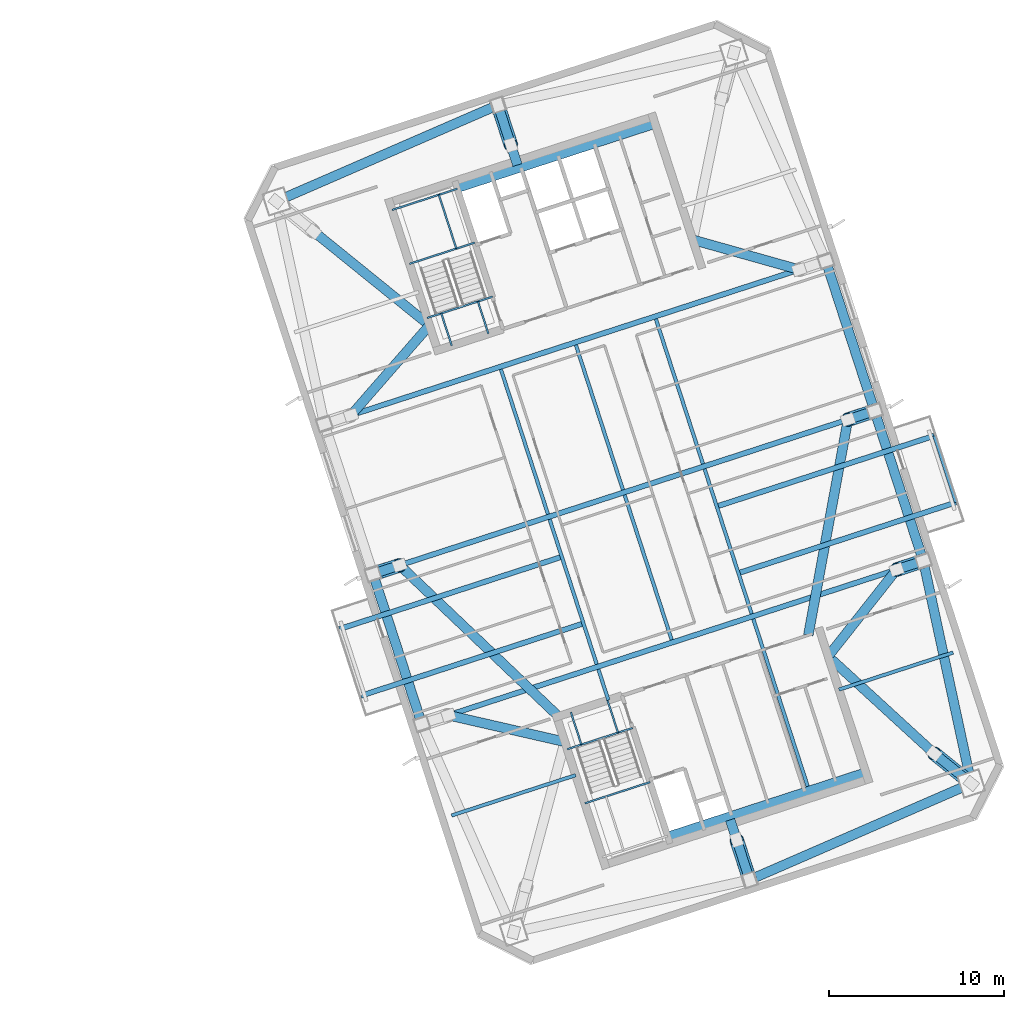
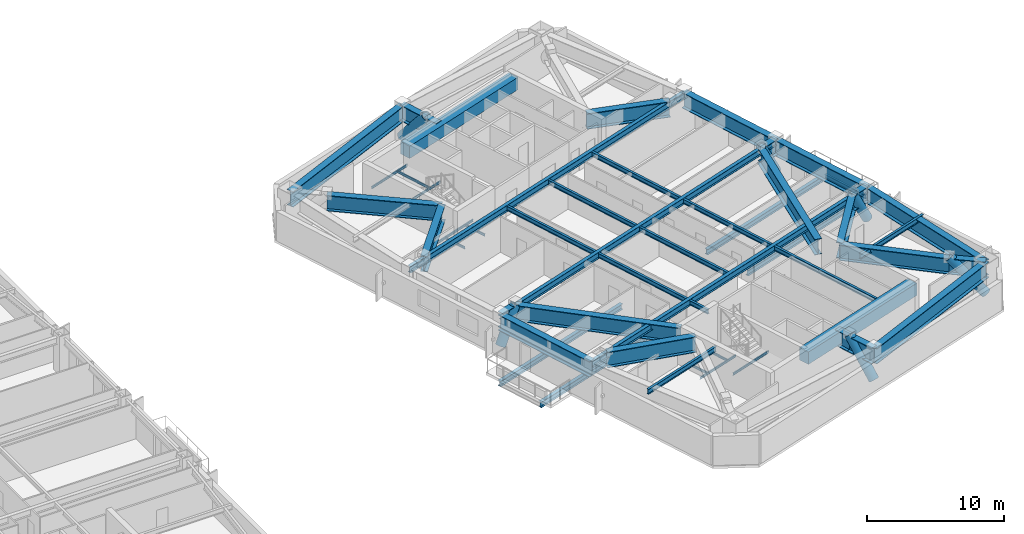
# One storey, part 4 of 18: 52 beams, 6 members.
"""IFC4 building model written with IfcOpenShell, lengths in metres."""

from ifc_helpers import new_model, si_unit, direction, frame, origin, origin_2d, place, context, subcontext, project, spatial, rectangle, hollow_circle, i_section, extrude, material, material_profile, profile_set, type_object, element, save


model = new_model("IFC4")

# Units and contexts
model_context = context("Model", 3, precision=1e-05, world=origin(), true_north=direction((0.0, 1.0)))
body_context = subcontext(model_context, "Body", "Model", "MODEL_VIEW")
ifc_project = project(units=[si_unit("LENGTHUNIT", "METRE"), si_unit("AREAUNIT", "SQUARE_METRE"), si_unit("VOLUMEUNIT", "CUBIC_METRE"), si_unit("PLANEANGLEUNIT", "RADIAN"), si_unit("MASSUNIT", "GRAM", prefix="KILO")], contexts=[model_context])

# Site, building, storey
site_placement = place(None, origin())
site = spatial("IfcSite", under=ifc_project, at=site_placement, CompositionType="ELEMENT")
building_placement = place(site_placement, origin())
building = spatial("IfcBuilding", under=site, at=building_placement, Name="Qiaolan Cultural Towers", CompositionType="ELEMENT")
storey_placement = place(building_placement, frame((0.0, 0.0, 195.5)))
storey = spatial("IfcBuildingStorey", under=building, at=storey_placement, Name="L52", CompositionType="ELEMENT", Elevation=195.5)

# Beams
ifc_material_1 = material(Name="Steel Q420GJB", Category="steel")
ifc_material_profile_1 = material_profile(ifc_material_1, i_section(OverallWidth=0.550048828125, OverallDepth=1.39990234375, WebThickness=0.031982421875, FlangeThickness=0.050048828125, at=origin_2d()), Name="BH1400x550x32x50")
ifc_profile_set_1 = profile_set([ifc_material_profile_1], Name="Steel Q420GJB")
beam_type_1 = type_object("IfcBeamType", Name="BM-BH1400x550x32x50", PredefinedType="BEAM", material=ifc_profile_set_1)
beam_1_placement = place(storey_placement, frame((109.834716796875, 17.38623046875, 2.530029296875), z_axis=(-0.777737849615, 0.628588766425, 0.0), x_axis=(-0.628588766425, -0.777737849615, 0.0)))
element("IfcBeam", 1, at=beam_1_placement, inside=storey, type_object=beam_type_1, Name="L52 T2 Setback Transfer Girder MC-SE-A", PredefinedType="BEAM", context=body_context, shape_type="SweptSolid", body=[
    extrude(i_section(OverallWidth=0.550048828125, OverallDepth=1.39990234375, WebThickness=0.031982421875, FlangeThickness=0.050048828125, at=origin_2d()), origin(), (0.0, 0.0, 1.0), 2.73193359375),
])
beam_2_placement = place(storey_placement, frame((107.7099609375, 19.103515625, 2.530029296875), z_axis=(-0.73729371377, 0.675572334865, 0.0), x_axis=(-0.675572334865, -0.73729371377, 0.0)))
element("IfcBeam", 2, at=beam_2_placement, inside=storey, type_object=beam_type_1, Name="L52 T2 Setback Transfer Girder MC-SE-B", PredefinedType="BEAM", context=body_context, shape_type="SweptSolid", body=[
    extrude(i_section(OverallWidth=0.550048828125, OverallDepth=1.39990234375, WebThickness=0.031982421875, FlangeThickness=0.050048828125, at=origin_2d()), origin(), (0.0, 0.0, 1.0), 8.203857421875),
])
beam_3_placement = place(storey_placement, frame((72.2900390625, 48.896484375, 2.530029296875), z_axis=(0.777340341613, -0.629080275721, 0.0), x_axis=(0.629080275721, 0.777340341613, 0.0)))
element("IfcBeam", 3, at=beam_3_placement, inside=storey, type_object=beam_type_1, Name="L52 T2 Setback Transfer Girder MC-NW-B", PredefinedType="BEAM", context=body_context, shape_type="SweptSolid", body=[
    extrude(i_section(OverallWidth=0.550048828125, OverallDepth=1.39990234375, WebThickness=0.031982421875, FlangeThickness=0.050048828125, at=origin_2d()), origin(), (0.0, 0.0, 1.0), 8.51513671875),
])
beam_4_placement = place(storey_placement, frame((79.989501953125, 21.2841796875, 2.530029296875), z_axis=(0.974792227635, -0.223114573576, 0.0), x_axis=(0.223114573576, 0.974792227635, 0.0)))
element("IfcBeam", 4, at=beam_4_placement, inside=storey, type_object=beam_type_1, Name="L52 T2 Setback Transfer Girder PC-W1-B", PredefinedType="BEAM", context=body_context, shape_type="SweptSolid", body=[
    extrude(i_section(OverallWidth=0.550048828125, OverallDepth=1.39990234375, WebThickness=0.031982421875, FlangeThickness=0.050048828125, at=origin_2d()), origin(), (0.0, 0.0, 1.0), 6.817138671875),
])
beam_5_placement = place(storey_placement, frame((75.6865234375, 29.349365234375, 2.530029296875), z_axis=(0.951066581729, 0.308986014439, 0.0), x_axis=(-0.308986014439, 0.951066581729, 0.0)))
element("IfcBeam", 5, at=beam_5_placement, inside=storey, type_object=beam_type_1, Name="L52 T2 Setback Transfer Girder PC-W2-A", PredefinedType="BEAM", context=body_context, shape_type="SweptSolid", body=[
    extrude(i_section(OverallWidth=0.550048828125, OverallDepth=1.39990234375, WebThickness=0.031982421875, FlangeThickness=0.050048828125, at=origin_2d()), origin(), (0.0, 0.0, 1.0), 1.60009765625),
])
beam_6_placement = place(storey_placement, frame((77.208251953125, 29.84375, 2.530029296875), z_axis=(0.724286472572, -0.689499170159, 0.0), x_axis=(0.689499170159, 0.724286472572, 0.0)))
element("IfcBeam", 6, at=beam_6_placement, inside=storey, type_object=beam_type_1, Name="L52 T2 Setback Transfer Girder PC-W2-B", PredefinedType="BEAM", context=body_context, shape_type="SweptSolid", body=[
    extrude(i_section(OverallWidth=0.550048828125, OverallDepth=1.39990234375, WebThickness=0.031982421875, FlangeThickness=0.050048828125, at=origin_2d()), origin(), (0.0, 0.0, 1.0), 12.50634765625),
])
beam_7_placement = place(storey_placement, frame((74.42724609375, 38.4033203125, 2.530029296875), z_axis=(0.657466971553, 0.753483364991, 0.0), x_axis=(-0.753483364991, 0.657466971553, 0.0)))
element("IfcBeam", 7, at=beam_7_placement, inside=storey, type_object=beam_type_1, Name="L52 T2 Setback Transfer Girder PC-W3-B", PredefinedType="BEAM", context=body_context, shape_type="SweptSolid", body=[
    extrude(i_section(OverallWidth=0.550048828125, OverallDepth=1.39990234375, WebThickness=0.031982421875, FlangeThickness=0.050048828125, at=origin_2d()), origin(), (0.0, 0.0, 1.0), 6.81689453125),
])
beam_8_placement = place(storey_placement, frame((107.094482421875, 30.09130859375, 2.530029296875), z_axis=(-0.951021734043, -0.309124022649, 0.0), x_axis=(0.309124022649, -0.951021734043, 0.0)))
element("IfcBeam", 8, at=beam_8_placement, inside=storey, type_object=beam_type_1, Name="L52 T2 Setback Transfer Girder PC-E1-A", PredefinedType="BEAM", context=body_context, shape_type="SweptSolid", body=[
    extrude(i_section(OverallWidth=0.550048828125, OverallDepth=1.39990234375, WebThickness=0.031982421875, FlangeThickness=0.050048828125, at=origin_2d()), origin(), (0.0, 0.0, 1.0), 1.60009765625),
])
beam_9_placement = place(storey_placement, frame((105.57275390625, 29.5966796875, 2.530029296875), z_axis=(-0.619912731558, -0.784670762328, 0.0), x_axis=(0.784670762328, -0.619912731558, 0.0)))
element("IfcBeam", 9, at=beam_9_placement, inside=storey, type_object=beam_type_1, Name="L52 T2 Setback Transfer Girder PC-E1-B", PredefinedType="BEAM", context=body_context, shape_type="SweptSolid", body=[
    extrude(i_section(OverallWidth=0.550048828125, OverallDepth=1.39990234375, WebThickness=0.031982421875, FlangeThickness=0.050048828125, at=origin_2d()), origin(), (0.0, 0.0, 1.0), 6.3095703125),
])
beam_10_placement = place(storey_placement, frame((104.3134765625, 38.650634765625, 2.530029296875), z_axis=(-0.951066581729, -0.308986014439, 0.0), x_axis=(0.308986014439, -0.951066581729, 0.0)))
element("IfcBeam", 10, at=beam_10_placement, inside=storey, type_object=beam_type_1, Name="L52 T2 Setback Transfer Girder PC-E2-A", PredefinedType="BEAM", context=body_context, shape_type="SweptSolid", body=[
    extrude(i_section(OverallWidth=0.550048828125, OverallDepth=1.39990234375, WebThickness=0.031982421875, FlangeThickness=0.050048828125, at=origin_2d()), origin(), (0.0, 0.0, 1.0), 1.60009765625),
])
beam_11_placement = place(storey_placement, frame((102.791748046875, 38.15625, 2.530029296875), z_axis=(-0.180673488114, -0.983543131079, 0.0), x_axis=(0.983543131079, -0.180673488114, 0.0)))
element("IfcBeam", 11, at=beam_11_placement, inside=storey, type_object=beam_type_1, Name="L52 T2 Setback Transfer Girder PC-E2-B", PredefinedType="BEAM", context=body_context, shape_type="SweptSolid", body=[
    extrude(i_section(OverallWidth=0.550048828125, OverallDepth=1.39990234375, WebThickness=0.031982421875, FlangeThickness=0.050048828125, at=origin_2d()), origin(), (0.0, 0.0, 1.0), 12.506103515625),
])
beam_12_placement = place(storey_placement, frame((100.010498046875, 46.7158203125, 2.530029296875), z_axis=(-0.962739446594, 0.270430689773, 0.0), x_axis=(-0.270430689773, -0.962739446594, 0.0)))
element("IfcBeam", 12, at=beam_12_placement, inside=storey, type_object=beam_type_1, Name="L52 T2 Setback Transfer Girder PC-E3-B", PredefinedType="BEAM", context=body_context, shape_type="SweptSolid", body=[
    extrude(i_section(OverallWidth=0.550048828125, OverallDepth=1.39990234375, WebThickness=0.031982421875, FlangeThickness=0.050048828125, at=origin_2d()), origin(), (0.0, 0.0, 1.0), 6.3095703125),
])
beam_13_placement = place(storey_placement, frame((97.1845703125, 11.887939453125, 2.530029296875), z_axis=(-0.308954952889, 0.951076672559, 0.0), x_axis=(-0.951076672559, -0.308954952889, 0.0)))
element("IfcBeam", 13, at=beam_13_placement, inside=storey, type_object=beam_type_1, Name="L52 T2 Setback Transfer Girder PC-S0-A", PredefinedType="BEAM", context=body_context, shape_type="SweptSolid", body=[
    extrude(i_section(OverallWidth=0.550048828125, OverallDepth=1.39990234375, WebThickness=0.031982421875, FlangeThickness=0.050048828125, at=origin_2d()), origin(), (0.0, 0.0, 1.0), 2.39990234375),
])
beam_14_placement = place(storey_placement, frame((96.443115234375, 14.17041015625, 2.530029296875), z_axis=(-0.309017071679, 0.951056491178, 0.0), x_axis=(-0.951056491178, -0.309017071679, 0.0)))
element("IfcBeam", 14, at=beam_14_placement, inside=storey, type_object=beam_type_1, Name="L52 T2 Setback Transfer Girder PC-S0-B", PredefinedType="BEAM", context=body_context, shape_type="SweptSolid", body=[
    extrude(i_section(OverallWidth=0.550048828125, OverallDepth=1.39990234375, WebThickness=0.031982421875, FlangeThickness=0.050048828125, at=origin_2d()), origin(), (0.0, 0.0, 1.0), 1.2001953125),
])
beam_15_placement = place(storey_placement, frame((82.8154296875, 56.112060546875, 2.530029296875), z_axis=(0.308954952889, -0.951076672559, 0.0), x_axis=(0.951076672559, 0.308954952889, 0.0)))
element("IfcBeam", 15, at=beam_15_placement, inside=storey, type_object=beam_type_1, Name="L52 T2 Setback Transfer Girder PC-N0-A", PredefinedType="BEAM", context=body_context, shape_type="SweptSolid", body=[
    extrude(i_section(OverallWidth=0.550048828125, OverallDepth=1.39990234375, WebThickness=0.031982421875, FlangeThickness=0.050048828125, at=origin_2d()), origin(), (0.0, 0.0, 1.0), 2.39990234375),
])
beam_16_placement = place(storey_placement, frame((83.556884765625, 53.82958984375, 2.530029296875), z_axis=(0.309017071679, -0.951056491178, 0.0), x_axis=(0.951056491178, 0.309017071679, 0.0)))
element("IfcBeam", 16, at=beam_16_placement, inside=storey, type_object=beam_type_1, Name="L52 T2 Setback Transfer Girder PC-N0-B", PredefinedType="BEAM", context=body_context, shape_type="SweptSolid", body=[
    extrude(i_section(OverallWidth=0.550048828125, OverallDepth=1.39990234375, WebThickness=0.031982421875, FlangeThickness=0.050048828125, at=origin_2d()), origin(), (0.0, 0.0, 1.0), 1.2001953125),
])
beam_17_placement = place(storey_placement, frame((97.1845703125, 11.887939453125, 2.489990234375), z_axis=(0.917117043091, 0.398618024268, 0.0), x_axis=(-0.398618024268, 0.917117043091, 0.0)))
element("IfcBeam", 17, at=beam_17_placement, inside=storey, type_object=beam_type_1, Name="L52 T2 Perimeter Spandrel Beam 2", PredefinedType="BEAM", context=body_context, shape_type="SweptSolid", body=[
    extrude(i_section(OverallWidth=0.550048828125, OverallDepth=1.39990234375, WebThickness=0.031982421875, FlangeThickness=0.050048828125, at=origin_2d()), origin(), (0.0, 0.0, 1.0), 13.79345703125),
])
beam_18_placement = place(storey_placement, frame((109.834716796875, 17.38623046875, 2.489990234375), z_axis=(-0.210832241173, 0.977522258612, 0.0), x_axis=(-0.977522258612, -0.210832241173, 0.0)))
element("IfcBeam", 18, at=beam_18_placement, inside=storey, type_object=beam_type_1, Name="L52 T2 Perimeter Spandrel Beam 3", PredefinedType="BEAM", context=body_context, shape_type="SweptSolid", body=[
    extrude(i_section(OverallWidth=0.550048828125, OverallDepth=1.39990234375, WebThickness=0.031982421875, FlangeThickness=0.050048828125, at=origin_2d()), origin(), (0.0, 0.0, 1.0), 12.997314453125),
])
beam_19_placement = place(storey_placement, frame((107.094482421875, 30.09130859375, 2.489990234375), z_axis=(-0.309008170129, 0.951059383421, 0.0), x_axis=(-0.951059383421, -0.309008170129, 0.0)))
element("IfcBeam", 19, at=beam_19_placement, inside=storey, type_object=beam_type_1, Name="L52 T2 Perimeter Spandrel Beam 4", PredefinedType="BEAM", context=body_context, shape_type="SweptSolid", body=[
    extrude(i_section(OverallWidth=0.550048828125, OverallDepth=1.39990234375, WebThickness=0.031982421875, FlangeThickness=0.050048828125, at=origin_2d()), origin(), (0.0, 0.0, 1.0), 8.999755859375),
])
beam_20_placement = place(storey_placement, frame((104.3134765625, 38.650634765625, 2.489990234375), z_axis=(-0.309024734286, 0.951054001411, 0.0), x_axis=(-0.951054001411, -0.309024734286, 0.0)))
element("IfcBeam", 20, at=beam_20_placement, inside=storey, type_object=beam_type_1, Name="L52 T2 Perimeter Spandrel Beam 5", PredefinedType="BEAM", context=body_context, shape_type="SweptSolid", body=[
    extrude(i_section(OverallWidth=0.550048828125, OverallDepth=1.39990234375, WebThickness=0.031982421875, FlangeThickness=0.050048828125, at=origin_2d()), origin(), (0.0, 0.0, 1.0), 9.0),
])
beam_21_placement = place(storey_placement, frame((82.8154296875, 56.112060546875, 2.489990234375), z_axis=(-0.917117043091, -0.398618024268, 0.0), x_axis=(0.398618024268, -0.917117043091, 0.0)))
element("IfcBeam", 21, at=beam_21_placement, inside=storey, type_object=beam_type_1, Name="L52 T2 Perimeter Spandrel Beam 8", PredefinedType="BEAM", context=body_context, shape_type="SweptSolid", body=[
    extrude(i_section(OverallWidth=0.550048828125, OverallDepth=1.39990234375, WebThickness=0.031982421875, FlangeThickness=0.050048828125, at=origin_2d()), origin(), (0.0, 0.0, 1.0), 13.79345703125),
])
beam_22_placement = place(storey_placement, frame((75.6865234375, 29.349365234375, 2.489990234375), z_axis=(0.309024734286, -0.951054001411, 0.0), x_axis=(0.951054001411, 0.309024734286, 0.0)))
element("IfcBeam", 22, at=beam_22_placement, inside=storey, type_object=beam_type_1, Name="L52 T2 Perimeter Spandrel Beam 11", PredefinedType="BEAM", context=body_context, shape_type="SweptSolid", body=[
    extrude(i_section(OverallWidth=0.550048828125, OverallDepth=1.39990234375, WebThickness=0.031982421875, FlangeThickness=0.050048828125, at=origin_2d()), origin(), (0.0, 0.0, 1.0), 9.0),
])
ifc_material_2 = material(Name="Steel Q355B", Category="steel")
ifc_material_profile_2 = material_profile(ifc_material_2, i_section(OverallWidth=0.300048828125, OverallDepth=0.488037109375, WebThickness=0.010986328125, FlangeThickness=0.01806640625, at=origin_2d()), Name="HM488x300x11x18")
ifc_profile_set_2 = profile_set([ifc_material_profile_2], Name="Steel Q355B")
beam_type_2 = type_object("IfcBeamType", Name="BM-HM488x300x11x18", PredefinedType="BEAM", material=ifc_profile_set_2)
for number, where, z_axis, x_axis, name in (
    (23, (87.697998046875, 26.522705078125, -0.52392578125), (-0.951053553769, -0.309026111943, 0.0), (0.309026111943, -0.951053553769, 0.0), "L52 T2 Tree Balcony Back-Spanned Bracket Beam"),
    (24, (86.4619140625, 30.326904296875, -0.52392578125), (-0.951053553769, -0.309026111943, 0.0), (0.309026111943, -0.951053553769, 0.0), "L52 T2 Tree Balcony Back-Spanned Bracket Beam"),
):
    element("IfcBeam", number, at=place(storey_placement, frame(where, z_axis=z_axis, x_axis=x_axis)), inside=storey, type_object=beam_type_2, Name=name, PredefinedType="BEAM", context=body_context, shape_type="SweptSolid", body=[
        extrude(i_section(OverallWidth=0.300048828125, OverallDepth=0.488037109375, WebThickness=0.010986328125, FlangeThickness=0.01806640625, at=origin_2d()), origin(), (0.0, 0.0, 1.0), 13.349853515625),
    ])
for number, where, z_axis, x_axis, name in (
    (25, (96.542724609375, 29.396484375, -0.52392578125), (0.951056200688, 0.309017965713, 0.0), (-0.309017965713, 0.951056200688, 0.0), "L52 T2 Tree Balcony Back-Spanned Bracket Beam"),
    (26, (95.306640625, 33.20068359375, -0.52392578125), (0.951056200688, 0.309017965713, 0.0), (-0.309017965713, 0.951056200688, 0.0), "L52 T2 Tree Balcony Back-Spanned Bracket Beam"),
):
    element("IfcBeam", number, at=place(storey_placement, frame(where, z_axis=z_axis, x_axis=x_axis)), inside=storey, type_object=beam_type_2, Name=name, PredefinedType="BEAM", context=body_context, shape_type="SweptSolid", body=[
        extrude(i_section(OverallWidth=0.300048828125, OverallDepth=0.488037109375, WebThickness=0.010986328125, FlangeThickness=0.01806640625, at=origin_2d()), origin(), (0.0, 0.0, 1.0), 13.050048828125),
    ])
ifc_material_3 = material(Name="Steel Q355B", Category="steel")
ifc_material_profile_3 = material_profile(ifc_material_3, i_section(OverallWidth=0.300048828125, OverallDepth=0.587890625, WebThickness=0.011962890625, FlangeThickness=0.02001953125, at=origin_2d()), Name="HM588x300x12x20")
ifc_profile_set_3 = profile_set([ifc_material_profile_3], Name="Steel Q355B")
beam_type_3 = type_object("IfcBeamType", Name="BM-HM588x300x12x20", PredefinedType="BEAM", material=ifc_profile_set_3)
beam_23_placement = place(storey_placement, frame((78.4677734375, 20.789794921875, 2.89599609375), z_axis=(0.951055226628, 0.309020963535, 0.0), x_axis=(-0.309020963535, 0.951055226628, 0.0)))
element("IfcBeam", 27, at=beam_23_placement, inside=storey, type_object=beam_type_3, Name="L52 T2 Primary Transverse Girder V1", PredefinedType="BEAM", context=body_context, shape_type="SweptSolid", body=[
    extrude(i_section(OverallWidth=0.300048828125, OverallDepth=0.587890625, WebThickness=0.011962890625, FlangeThickness=0.02001953125, at=origin_2d()), origin(), (0.0, 0.0, 1.0), 30.099853515625),
])
beam_24_placement = place(storey_placement, frame((75.6865234375, 29.349365234375, 2.89599609375), z_axis=(0.951058384903, 0.309011243331, 0.0), x_axis=(-0.309011243331, 0.951058384903, 0.0)))
element("IfcBeam", 28, at=beam_24_placement, inside=storey, type_object=beam_type_3, Name="L52 T2 Primary Transverse Girder V2", PredefinedType="BEAM", context=body_context, shape_type="SweptSolid", body=[
    extrude(i_section(OverallWidth=0.300048828125, OverallDepth=0.587890625, WebThickness=0.011962890625, FlangeThickness=0.02001953125, at=origin_2d()), origin(), (0.0, 0.0, 1.0), 30.10009765625),
])
beam_25_placement = place(storey_placement, frame((72.905517578125, 37.90869140625, 2.89599609375), z_axis=(0.951055226628, 0.309020963535, 0.0), x_axis=(-0.309020963535, 0.951055226628, 0.0)))
element("IfcBeam", 29, at=beam_25_placement, inside=storey, type_object=beam_type_3, Name="L52 T2 Primary Transverse Girder V3", PredefinedType="BEAM", context=body_context, shape_type="SweptSolid", body=[
    extrude(i_section(OverallWidth=0.300048828125, OverallDepth=0.587890625, WebThickness=0.011962890625, FlangeThickness=0.02001953125, at=origin_2d()), origin(), (0.0, 0.0, 1.0), 30.099853515625),
])
ifc_material_4 = material(Name="Steel Q355B", Category="steel")
ifc_material_profile_4 = material_profile(ifc_material_4, i_section(OverallWidth=0.175048828125, OverallDepth=0.35009765625, WebThickness=0.007080078125, FlangeThickness=0.010986328125, at=origin_2d()), Name="HN350x175x7x11")
ifc_profile_set_4 = profile_set([ifc_material_profile_4], Name="Steel Q355B")
beam_type_4 = type_object("IfcBeamType", Name="BM-JST-HN350x175x7x11", PredefinedType="JOIST", material=ifc_profile_set_4)
beam_26_placement = place(storey_placement, frame((108.9541015625, 33.42919921875, -0.52392578125), z_axis=(-0.309022586479, 0.951054699292, 0.0), x_axis=(-0.951054699292, -0.309022586479, 0.0)))
element("IfcBeam", 30, at=beam_26_placement, inside=storey, type_object=beam_type_4, Name="L52 T2 Tree Balcony Outer Edge Beam", PredefinedType="JOIST", context=body_context, shape_type="SweptSolid", body=[
    extrude(i_section(OverallWidth=0.175048828125, OverallDepth=0.35009765625, WebThickness=0.007080078125, FlangeThickness=0.010986328125, at=origin_2d()), origin(), (0.0, 0.0, 1.0), 4.0),
])
ifc_material_5 = material(Name="Steel Q355B", Category="steel")
ifc_material_profile_5 = material_profile(ifc_material_5, i_section(OverallWidth=0.199951171875, OverallDepth=0.39990234375, WebThickness=0.008056640625, FlangeThickness=0.012939453125, at=origin_2d()), Name="HN400x200x8x13")
ifc_profile_set_5 = profile_set([ifc_material_profile_5], Name="Steel Q355B")
beam_type_5 = type_object("IfcBeamType", Name="BM-JST-HN400x200x8x13", PredefinedType="JOIST", material=ifc_profile_set_5)
beam_27_placement = place(storey_placement, frame((89.119384765625, 22.147705078125, 2.989990234375), z_axis=(-0.308933885266, 0.951083516067, 0.0), x_axis=(-0.951083516067, -0.308933885266, 0.0)))
element("IfcBeam", 31, at=beam_27_placement, inside=storey, type_object=beam_type_5, Name="L52 T2 Secondary Floor Joist U1-1", PredefinedType="JOIST", context=body_context, shape_type="SweptSolid", body=[
    extrude(i_section(OverallWidth=0.199951171875, OverallDepth=0.39990234375, WebThickness=0.008056640625, FlangeThickness=0.012939453125, at=origin_2d()), origin(), (0.0, 0.0, 1.0), 1.85009765625),
])
for number, where, z_axis, x_axis, name in (
    (32, (88.455078125, 24.192626953125, 2.989990234375), (-0.309020714809, 0.951055307445, 0.0), (-0.951055307445, -0.309020714809, 0.0), "L52 T2 Secondary Floor Joist U1-2"),
    (33, (85.673828125, 32.752197265625, 2.989990234375), (-0.309020714809, 0.951055307445, 0.0), (-0.951055307445, -0.309020714809, 0.0), "L52 T2 Secondary Floor Joist U1-3"),
    (34, (92.73486328125, 25.583251953125, 2.989990234375), (-0.309020714809, 0.951055307445, 0.0), (-0.951055307445, -0.309020714809, 0.0), "L52 T2 Secondary Floor Joist U2-2"),
    (35, (89.95361328125, 34.142578125, 2.989990234375), (-0.309020714809, 0.951055307445, 0.0), (-0.951055307445, -0.309020714809, 0.0), "L52 T2 Secondary Floor Joist U2-3"),
):
    element("IfcBeam", number, at=place(storey_placement, frame(where, z_axis=z_axis, x_axis=x_axis)), inside=storey, type_object=beam_type_5, Name=name, PredefinedType="JOIST", context=body_context, shape_type="SweptSolid", body=[
        extrude(i_section(OverallWidth=0.199951171875, OverallDepth=0.39990234375, WebThickness=0.008056640625, FlangeThickness=0.012939453125, at=origin_2d()), origin(), (0.0, 0.0, 1.0), 8.699951171875),
    ])
beam_28_placement = place(storey_placement, frame((100.498291015625, 17.222900390625, 2.989990234375), z_axis=(-0.309025649293, 0.951053704098, 0.0), x_axis=(-0.951053704098, -0.309025649293, 0.0)))
element("IfcBeam", 36, at=beam_28_placement, inside=storey, type_object=beam_type_5, Name="L52 T2 Secondary Floor Joist U3-1", PredefinedType="JOIST", context=body_context, shape_type="SweptSolid", body=[
    extrude(i_section(OverallWidth=0.199951171875, OverallDepth=0.39990234375, WebThickness=0.008056640625, FlangeThickness=0.012939453125, at=origin_2d()), origin(), (0.0, 0.0, 1.0), 10.050048828125),
])
for number, where, z_axis, x_axis, name in (
    (37, (97.2998046875, 27.06640625, 2.989990234375), (-0.309020714809, 0.951055307445, 0.0), (-0.951055307445, -0.309020714809, 0.0), "L52 T2 Secondary Floor Joist U3-2"),
    (38, (94.518798828125, 35.6259765625, 2.989990234375), (-0.309020714809, 0.951055307445, 0.0), (-0.951055307445, -0.309020714809, 0.0), "L52 T2 Secondary Floor Joist U3-3"),
):
    element("IfcBeam", number, at=place(storey_placement, frame(where, z_axis=z_axis, x_axis=x_axis)), inside=storey, type_object=beam_type_5, Name=name, PredefinedType="JOIST", context=body_context, shape_type="SweptSolid", body=[
        extrude(i_section(OverallWidth=0.199951171875, OverallDepth=0.39990234375, WebThickness=0.008056640625, FlangeThickness=0.012939453125, at=origin_2d()), origin(), (0.0, 0.0, 1.0), 8.699951171875),
    ])
ifc_material_6 = material(Name="Steel Q355B", Category="steel")
ifc_material_profile_6 = material_profile(ifc_material_6, i_section(OverallWidth=0.199951171875, OverallDepth=0.449951171875, WebThickness=0.009033203125, FlangeThickness=0.013916015625, at=origin_2d()), Name="HN450x200x9x14")
ifc_profile_set_6 = profile_set([ifc_material_profile_6], Name="Steel Q355B")
beam_type_6 = type_object("IfcBeamType", Name="BM-LNT-HN450x200x9x14", PredefinedType="LINTEL", material=ifc_profile_set_6)
beam_29_placement = place(storey_placement, frame((87.252685546875, 17.861083984375, 2.965087890625), z_axis=(-0.951064407856, -0.308992705592, 0.0), x_axis=(0.308992705592, -0.951064407856, 0.0)))
element("IfcBeam", 39, at=beam_29_placement, inside=storey, type_object=beam_type_6, Name="L52 T2 Core Flank Tie Lintel WS", PredefinedType="LINTEL", context=body_context, shape_type="SweptSolid", body=[
    extrude(i_section(OverallWidth=0.199951171875, OverallDepth=0.449951171875, WebThickness=0.009033203125, FlangeThickness=0.013916015625, at=origin_2d()), origin(), (0.0, 0.0, 1.0), 7.449951171875),
])
beam_30_placement = place(storey_placement, frame((102.279296875, 22.74365234375, 2.965087890625), z_axis=(0.951061565824, 0.30900145309, 0.0), x_axis=(-0.30900145309, 0.951061565824, 0.0)))
element("IfcBeam", 40, at=beam_30_placement, inside=storey, type_object=beam_type_6, Name="L52 T2 Core Flank Tie Lintel ES", PredefinedType="LINTEL", context=body_context, shape_type="SweptSolid", body=[
    extrude(i_section(OverallWidth=0.199951171875, OverallDepth=0.449951171875, WebThickness=0.009033203125, FlangeThickness=0.013916015625, at=origin_2d()), origin(), (0.0, 0.0, 1.0), 6.85009765625),
])
ifc_material_7 = material(Name="Concrete C50", Category="concrete")
ifc_material_profile_7 = material_profile(ifc_material_7, rectangle(XDim=0.89990234375, YDim=1.10009765625, at=origin_2d()), Name="RC900x1100")
ifc_profile_set_7 = profile_set([ifc_material_profile_7], Name="Concrete C50")
beam_type_7 = type_object("IfcBeamType", Name="BM-RC900x1100", PredefinedType="BEAM", material=ifc_profile_set_7)
for number, where, z_axis, x_axis, name in (
    (41, (92.572265625, 14.174560546875, 2.639892578125), (0.951056266386, 0.309017763514, 0.0), (-0.309017763514, 0.951056266386, 0.0), "L52 T2 Core Header Girder S"),
    (42, (80.427978515625, 51.551025390625, 2.639892578125), (0.951056266386, 0.309017763514, 0.0), (-0.309017763514, 0.951056266386, 0.0), "L52 T2 Core Header Girder N"),
):
    element("IfcBeam", number, at=place(storey_placement, frame(where, z_axis=z_axis, x_axis=x_axis)), inside=storey, type_object=beam_type_7, Name=name, PredefinedType="BEAM", context=body_context, shape_type="SweptSolid", body=[
        extrude(rectangle(XDim=0.89990234375, YDim=1.10009765625, at=origin_2d()), origin(), (0.0, 0.0, 1.0), 11.880126953125),
    ])
ifc_material_8 = material(Name="Steel Q355B", Category="steel")
ifc_material_profile_8 = material_profile(ifc_material_8, i_section(OverallWidth=0.10009765625, OverallDepth=0.199951171875, WebThickness=0.005615234375, FlangeThickness=0.008056640625, at=origin_2d()), Name="HN200x100x5.5x8")
ifc_profile_set_8 = profile_set([ifc_material_profile_8], Name="Steel Q355B")
beam_type_8 = type_object("IfcBeamType", Name="BM-STTRIM-200", PredefinedType="BEAM", material=ifc_profile_set_8)
beam_31_placement = place(storey_placement, frame((86.770751953125, 19.3447265625, -0.4599609375), z_axis=(0.951047798727, 0.309043823005, 0.0), x_axis=(-0.309043823005, 0.951047798727, 0.0)))
element("IfcBeam", 43, at=beam_31_placement, inside=storey, type_object=beam_type_8, Name="L52 ST-E1 Floor Landing Header Beam", PredefinedType="BEAM", context=body_context, shape_type="SweptSolid", body=[
    extrude(i_section(OverallWidth=0.10009765625, OverallDepth=0.199951171875, WebThickness=0.005615234375, FlangeThickness=0.008056640625, at=origin_2d()), origin(), (0.0, 0.0, 1.0), 3.919921875),
])
for number, where, z_axis, x_axis, name in (
    (44, (86.9794921875, 21.452392578125, -0.4599609375), (0.309083226701, -0.951034993558, 0.0), (0.951034993558, 0.309083226701, 0.0), "L52 ST-E1 Floor Landing Stringer 1"),
    (45, (89.07177734375, 22.13232421875, -0.4599609375), (0.309083226701, -0.951034993558, 0.0), (0.951034993558, 0.309083226701, 0.0), "L52 ST-E1 Floor Landing Stringer 2"),
):
    element("IfcBeam", number, at=place(storey_placement, frame(where, z_axis=z_axis, x_axis=x_axis)), inside=storey, type_object=beam_type_8, Name=name, PredefinedType="BEAM", context=body_context, shape_type="SweptSolid", body=[
        extrude(i_section(OverallWidth=0.10009765625, OverallDepth=0.199951171875, WebThickness=0.005615234375, FlangeThickness=0.008056640625, at=origin_2d()), origin(), (0.0, 0.0, 1.0), 1.93994140625),
    ])
beam_32_placement = place(storey_placement, frame((87.774658203125, 16.255126953125, 1.425048828125), z_axis=(0.951047798727, 0.309043823005, 0.0), x_axis=(-0.309043823005, 0.951047798727, 0.0)))
element("IfcBeam", 46, at=beam_32_placement, inside=storey, type_object=beam_type_8, Name="L52 ST-E1 Stair Landing Support Beam 1-1", PredefinedType="BEAM", context=body_context, shape_type="SweptSolid", body=[
    extrude(i_section(OverallWidth=0.10009765625, OverallDepth=0.199951171875, WebThickness=0.005615234375, FlangeThickness=0.008056640625, at=origin_2d()), origin(), (0.0, 0.0, 1.0), 3.919921875),
])
beam_33_placement = place(storey_placement, frame((78.773193359375, 43.958251953125, -0.4599609375), z_axis=(0.951072048947, 0.3089691857, 0.0), x_axis=(-0.3089691857, 0.951072048947, 0.0)))
element("IfcBeam", 47, at=beam_33_placement, inside=storey, type_object=beam_type_8, Name="L52 ST-E2 Floor Landing Header Beam", PredefinedType="BEAM", context=body_context, shape_type="SweptSolid", body=[
    extrude(i_section(OverallWidth=0.10009765625, OverallDepth=0.199951171875, WebThickness=0.005615234375, FlangeThickness=0.008056640625, at=origin_2d()), origin(), (0.0, 0.0, 1.0), 3.920166015625),
])
for number, where, z_axis, x_axis, name in (
    (48, (80.18115234375, 42.375732421875, -0.4599609375), (-0.308969394428, 0.951071981138, 0.0), (-0.951071981138, -0.308969394428, 0.0), "L52 ST-E2 Floor Landing Stringer 1"),
    (49, (82.2734375, 43.0556640625, -0.4599609375), (-0.308969394428, 0.951071981138, 0.0), (-0.951071981138, -0.308969394428, 0.0), "L52 ST-E2 Floor Landing Stringer 2"),
):
    element("IfcBeam", number, at=place(storey_placement, frame(where, z_axis=z_axis, x_axis=x_axis)), inside=storey, type_object=beam_type_8, Name=name, PredefinedType="BEAM", context=body_context, shape_type="SweptSolid", body=[
        extrude(i_section(OverallWidth=0.10009765625, OverallDepth=0.199951171875, WebThickness=0.005615234375, FlangeThickness=0.008056640625, at=origin_2d()), origin(), (0.0, 0.0, 1.0), 1.93994140625),
    ])
for number, where, z_axis, x_axis, name in (
    (50, (77.769287109375, 47.0478515625, 1.425048828125), (0.951053746643, 0.309025518358, 0.0), (-0.309025518358, 0.951053746643, 0.0), "L52 ST-E2 Stair Landing Support Beam 1-1"),
    (51, (76.770751953125, 50.12109375, 1.425048828125), (0.951072048947, 0.3089691857, 0.0), (-0.3089691857, 0.951072048947, 0.0), "L52 ST-E2 Stair Landing Support Beam 1-2"),
):
    element("IfcBeam", number, at=place(storey_placement, frame(where, z_axis=z_axis, x_axis=x_axis)), inside=storey, type_object=beam_type_8, Name=name, PredefinedType="BEAM", context=body_context, shape_type="SweptSolid", body=[
        extrude(i_section(OverallWidth=0.10009765625, OverallDepth=0.199951171875, WebThickness=0.005615234375, FlangeThickness=0.008056640625, at=origin_2d()), origin(), (0.0, 0.0, 1.0), 3.920166015625),
    ])
beam_34_placement = place(storey_placement, frame((80.44189453125, 47.916259765625, 1.425048828125), z_axis=(-0.309033108495, 0.951051280349, 0.0), x_axis=(-0.951051280349, -0.309033108495, 0.0)))
element("IfcBeam", 52, at=beam_34_placement, inside=storey, type_object=beam_type_8, Name="L52 ST-E2 Stair Landing Trimmer 1", PredefinedType="BEAM", context=body_context, shape_type="SweptSolid", body=[
    extrude(i_section(OverallWidth=0.10009765625, OverallDepth=0.199951171875, WebThickness=0.005615234375, FlangeThickness=0.008056640625, at=origin_2d()), origin(), (0.0, 0.0, 1.0), 3.231201171875),
])

# Members
ifc_material_9 = material(Name="Steel Q390GJB", Category="steel")
ifc_material_profile_9 = material_profile(ifc_material_9, hollow_circle(Radius=0.39990234375, WallThickness=0.0400390625, at=origin_2d()), Name="CHS800x40")
ifc_profile_set_9 = profile_set([ifc_material_profile_9], Name="Steel Q390GJB")
member_type = type_object("IfcMemberType", Name="MBR-BRC-CHS800x40", PredefinedType="BRACE", material=ifc_profile_set_9)
member_placement = place(storey_placement, frame((109.834716796875, 17.38623046875, 0.300048828125), z_axis=(-0.53039140518, 0.42867667977, 0.731383115428), x_axis=(-0.628588766425, -0.777737849615, 0.0)))
element("IfcMember", 53, at=member_placement, inside=storey, type_object=member_type, Name="L52 T2 Setback Transfer Raker Strut MC-SE", PredefinedType="BRACE", context=body_context, shape_type="SweptSolid", body=[
    extrude(hollow_circle(Radius=0.39990234375, WallThickness=0.0400390625, at=origin_2d()), origin(), (0.0, 0.0, 1.0), 4.006103515625),
])
for number, where, z_axis, x_axis, name in (
    (54, (75.6865234375, 29.349365234375, 0.300048828125), (0.455832676681, 0.148092599114, 0.877658904676), (-0.308986014439, 0.951066581729, 0.0), "L52 T2 Setback Transfer Raker Strut PC-W2"),
    (55, (107.094482421875, 30.09130859375, 0.300048828125), (-0.455827738724, -0.148164126208, 0.877649397148), (0.309124022649, -0.951021734043, 0.0), "L52 T2 Setback Transfer Raker Strut PC-E1"),
    (56, (104.3134765625, 38.650634765625, 0.300048828125), (-0.455832676681, -0.148092599114, 0.877658904676), (0.308986014439, -0.951066581729, 0.0), "L52 T2 Setback Transfer Raker Strut PC-E2"),
):
    element("IfcMember", number, at=place(storey_placement, frame(where, z_axis=z_axis, x_axis=x_axis)), inside=storey, type_object=member_type, Name=name, PredefinedType="BRACE", context=body_context, shape_type="SweptSolid", body=[
        extrude(hollow_circle(Radius=0.39990234375, WallThickness=0.0400390625, at=origin_2d()), origin(), (0.0, 0.0, 1.0), 3.33837890625),
    ])
for number, where, z_axis, x_axis, name in (
    (57, (97.1845703125, 11.887939453125, 0.300048828125), (-0.195772101288, 0.602658338802, 0.773612442396), (-0.951076672559, -0.308954952889, 0.0), "L52 T2 Setback Transfer Raker Strut PC-S0"),
    (58, (82.8154296875, 56.112060546875, 0.300048828125), (0.195772101288, -0.602658338802, 0.773612442396), (0.951076672559, 0.308954952889, 0.0), "L52 T2 Setback Transfer Raker Strut PC-N0"),
):
    element("IfcMember", number, at=place(storey_placement, frame(where, z_axis=z_axis, x_axis=x_axis)), inside=storey, type_object=member_type, Name=name, PredefinedType="BRACE", context=body_context, shape_type="SweptSolid", body=[
        extrude(hollow_circle(Radius=0.39990234375, WallThickness=0.0400390625, at=origin_2d()), origin(), (0.0, 0.0, 1.0), 3.787353515625),
    ])

save(model, "model.ifc")
